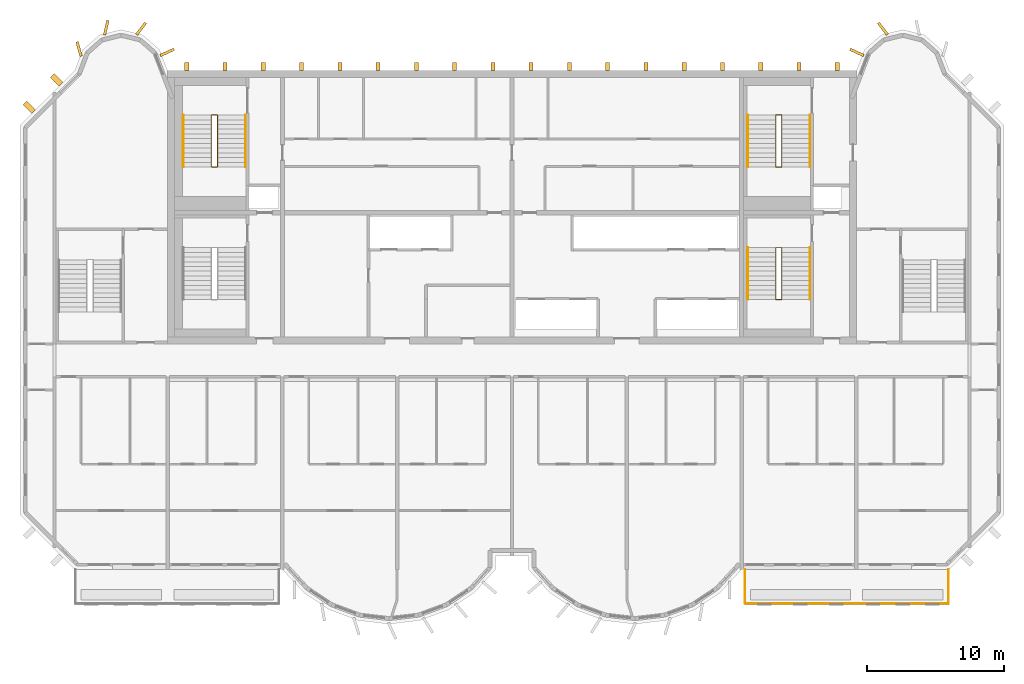
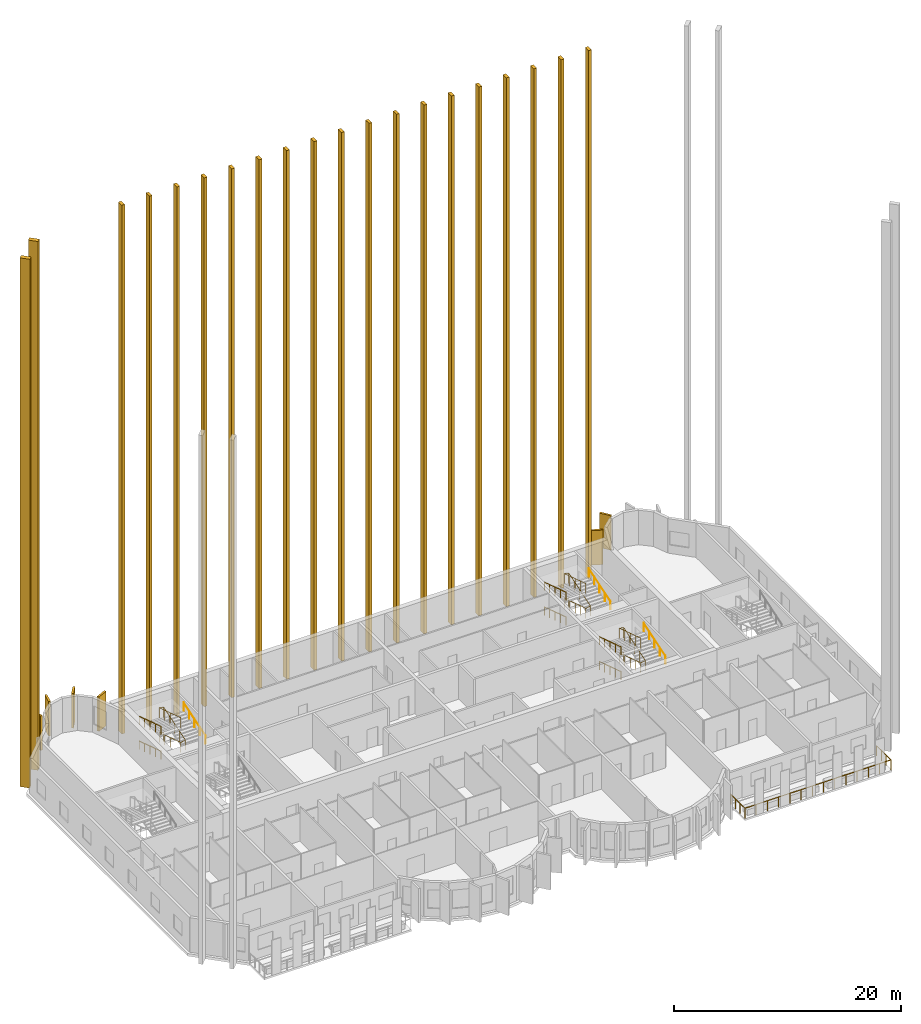
# One storey, part 11 of 13: 26 coverings, 13 railings.
"""IFC4 building model written with IfcOpenShell, lengths in metres."""

from ifc_helpers import new_model, si_unit, direction, frame, origin, origin_2d, place, context, subcontext, project, spatial, rectangle, circle, extrude, source, transform, mapped, material, material_profile, profile_set, type_object, element, save


model = new_model("IFC4")

# Units and contexts
model_context = context("Model", 3, precision=1e-05, world=origin(), true_north=direction((0.0, 1.0)))
body_context = subcontext(model_context, "Body", "Model", "MODEL_VIEW")
ifc_project = project(units=[si_unit("LENGTHUNIT", "METRE"), si_unit("AREAUNIT", "SQUARE_METRE"), si_unit("VOLUMEUNIT", "CUBIC_METRE"), si_unit("PLANEANGLEUNIT", "RADIAN"), si_unit("MASSUNIT", "GRAM", prefix="KILO")], contexts=[model_context])

# Site, building, storey
site_placement = place(None, origin())
site = spatial("IfcSite", under=ifc_project, at=site_placement, CompositionType="ELEMENT")
building_placement = place(site_placement, origin())
building = spatial("IfcBuilding", under=site, at=building_placement, Name="Vanashikhar Sky Hotel", CompositionType="ELEMENT")
storey_placement = place(building_placement, frame((0.0, 0.0, 277.699951171875)))
storey = spatial("IfcBuildingStorey", under=building, at=storey_placement, Name="L66", CompositionType="ELEMENT", Elevation=277.699951171875)

# Railing
ifc_material_1 = material(Name="Stainless steel 316", Category="steel")
railing_type_1 = type_object("IfcRailingType", Name="Balcony guard 1100", PredefinedType="GUARDRAIL", material=ifc_material_1)
shared_shape_1 = source(origin(), body_context, "Body", "SweptSolid", [
    extrude(circle(Radius=0.02392578125, at=origin_2d()), frame((0.0, 0.0, 1.076171875), z_axis=(0.0, -1.0, 0.0), x_axis=(1.0, 0.0, 0.0)), (0.0, 0.0, 1.0), 2.5),
    extrude(circle(Radius=0.02392578125, at=origin_2d()), frame((0.0, -2.5, 1.076171875), z_axis=(1.0, 0.0, 0.0), x_axis=(0.0, 1.0, 0.0)), (0.0, 0.0, 1.0), 14.880126953125),
    extrude(circle(Radius=0.02392578125, at=origin_2d()), frame((14.880126953125, -2.5, 1.076171875), z_axis=(0.0, 1.0, 0.0), x_axis=(-1.0, 0.0, 0.0)), (0.0, 0.0, 1.0), 2.5),
    extrude(circle(Radius=0.02099609375, at=origin_2d()), origin(), (0.0, 0.0, 1.0), 1.052001953125),
    extrude(circle(Radius=0.02099609375, at=origin_2d()), frame((0.0, -0.833251953125, 0.0)), (0.0, 0.0, 1.0), 1.052001953125),
    extrude(circle(Radius=0.02099609375, at=origin_2d()), frame((0.0, -1.666748046875, 0.0)), (0.0, 0.0, 1.0), 1.052001953125),
    extrude(circle(Radius=0.02099609375, at=origin_2d()), frame((0.0, -2.5, 0.0)), (0.0, 0.0, 1.0), 1.052001953125),
    extrude(circle(Radius=0.02099609375, at=origin_2d()), frame((1.14453125, -2.5, 0.0)), (0.0, 0.0, 1.0), 1.052001953125),
    extrude(circle(Radius=0.02099609375, at=origin_2d()), frame((2.289306640625, -2.5, 0.0)), (0.0, 0.0, 1.0), 1.052001953125),
    extrude(circle(Radius=0.02099609375, at=origin_2d()), frame((3.433837890625, -2.5, 0.0)), (0.0, 0.0, 1.0), 1.052001953125),
    extrude(circle(Radius=0.02099609375, at=origin_2d()), frame((4.57861328125, -2.5, 0.0)), (0.0, 0.0, 1.0), 1.052001953125),
    extrude(circle(Radius=0.02099609375, at=origin_2d()), frame((5.72314453125, -2.5, 0.0)), (0.0, 0.0, 1.0), 1.052001953125),
    extrude(circle(Radius=0.02099609375, at=origin_2d()), frame((6.86767578125, -2.5, 0.0)), (0.0, 0.0, 1.0), 1.052001953125),
    extrude(circle(Radius=0.02099609375, at=origin_2d()), frame((8.012451171875, -2.5, 0.0)), (0.0, 0.0, 1.0), 1.052001953125),
    extrude(circle(Radius=0.02099609375, at=origin_2d()), frame((9.156982421875, -2.5, 0.0)), (0.0, 0.0, 1.0), 1.052001953125),
    extrude(circle(Radius=0.02099609375, at=origin_2d()), frame((10.301513671875, -2.5, 0.0)), (0.0, 0.0, 1.0), 1.052001953125),
    extrude(circle(Radius=0.02099609375, at=origin_2d()), frame((11.4462890625, -2.5, 0.0)), (0.0, 0.0, 1.0), 1.052001953125),
    extrude(circle(Radius=0.02099609375, at=origin_2d()), frame((12.5908203125, -2.5, 0.0)), (0.0, 0.0, 1.0), 1.052001953125),
    extrude(circle(Radius=0.02099609375, at=origin_2d()), frame((13.735595703125, -2.5, 0.0)), (0.0, 0.0, 1.0), 1.052001953125),
    extrude(circle(Radius=0.02099609375, at=origin_2d()), frame((14.880126953125, -2.5, 0.0)), (0.0, 0.0, 1.0), 1.052001953125),
    extrude(circle(Radius=0.02099609375, at=origin_2d()), frame((14.880126953125, -1.666748046875, 0.0)), (0.0, 0.0, 1.0), 1.052001953125),
    extrude(circle(Radius=0.02099609375, at=origin_2d()), frame((14.880126953125, -0.833251953125, 0.0)), (0.0, 0.0, 1.0), 1.052001953125),
    extrude(circle(Radius=0.02099609375, at=origin_2d()), frame((14.880126953125, 0.0, 0.0)), (0.0, 0.0, 1.0), 1.052001953125),
])
railing_1_placement = place(storey_placement, frame((67.4599609375, 5.5, -0.050048828125)))
element("IfcRailing", 1, at=railing_1_placement, inside=storey, type_object=railing_type_1, Name="Balcony guard", PredefinedType="GUARDRAIL", context=body_context, shape_type="MappedRepresentation", body=[
    mapped(shared_shape_1, transform((0.0, 0.0, 0.0), scale=1.0)),
])

# Coverings
ifc_material_2 = material(Name="Concrete M60 dark", Category="concrete")
ifc_material_profile_1 = material_profile(ifc_material_2, rectangle(XDim=1.10009765625, YDim=0.199951171875, at=origin_2d()))
ifc_profile_set_1 = profile_set([ifc_material_profile_1], Name="Rear lobe fin 1100 x 200")
covering_type_1 = type_object("IfcCoveringType", Name="Rear lobe fin 1100 x 200", PredefinedType="CLADDING", material=ifc_profile_set_1)
shared_shape_2 = source(origin(), body_context, "Body", "SweptSolid", [
    extrude(rectangle(XDim=1.10009765625, YDim=0.199951171875, at=origin_2d()), origin(), (0.0, 0.0, 1.0), 3.719970703125),
])
for number, where, z_axis, x_axis, name in (
    (2, (18.720703125, 43.580078125, 0.0), (0.0, 0.0, 1.0), (-0.262711264409, 0.964874495234, 0.0), "Fin R1-1"),
    (3, (20.710205078125, 45.1455078125, 0.0), (0.0, 0.0, 1.0), (0.224644935864, 0.974440687159, 0.0), "Fin R1-2"),
    (4, (23.261962890625, 45.06640625, 0.0), (0.0, 0.0, 1.0), (0.602065892195, 0.798446404874, 0.0), "Fin R1-3"),
    (5, (25.169677734375, 43.33447265625, 0.0), (0.0, 0.0, 1.0), (0.908004291068, 0.418960866193, 0.0), "Fin R1-4"),
    (6, (75.63037109375, 43.33447265625, 0.0), (0.0, 0.0, 1.0), (-0.908004291068, 0.418960866193, 0.0), "Fin R2-1"),
    (7, (77.5380859375, 45.06640625, 0.0), (0.0, 0.0, 1.0), (-0.602065892195, 0.798446404874, 0.0), "Fin R2-2"),
):
    element("IfcCovering", number, at=place(storey_placement, frame(where, z_axis=z_axis, x_axis=x_axis)), inside=storey, type_object=covering_type_1, Name=name, PredefinedType="CLADDING", context=body_context, shape_type="MappedRepresentation", body=[
        mapped(shared_shape_2, transform((0.0, 0.0, 0.0), scale=1.0)),
    ])
ifc_material_profile_2 = material_profile(ifc_material_2, rectangle(XDim=0.60009765625, YDim=0.300048828125, at=origin_2d()))
ifc_profile_set_2 = profile_set([ifc_material_profile_2], Name="Rear rib 600 x 300")
covering_type_2 = type_object("IfcCoveringType", Name="Rear rib 600 x 300", PredefinedType="CLADDING", material=ifc_profile_set_2)
shared_shape_3 = source(origin(), body_context, "Body", "SweptSolid", [
    extrude(rectangle(XDim=0.60009765625, YDim=0.300048828125, at=origin_2d()), origin(), (0.0, 0.0, 1.0), 57.0),
])
for number, where, z_axis, x_axis, name in (
    (8, (26.60009765625, 42.300048828125, -0.280029296875), (0.0, 0.0, 1.0), (0.0, 1.0, 0.0), "Rear rib"),
    (9, (29.39990234375, 42.300048828125, -0.280029296875), (0.0, 0.0, 1.0), (0.0, 1.0, 0.0), "Rear rib"),
    (10, (32.199951171875, 42.300048828125, -0.280029296875), (0.0, 0.0, 1.0), (0.0, 1.0, 0.0), "Rear rib"),
    (11, (35.0, 42.300048828125, -0.280029296875), (0.0, 0.0, 1.0), (0.0, 1.0, 0.0), "Rear rib"),
    (12, (37.800048828125, 42.300048828125, -0.280029296875), (0.0, 0.0, 1.0), (0.0, 1.0, 0.0), "Rear rib"),
    (13, (40.60009765625, 42.300048828125, -0.280029296875), (0.0, 0.0, 1.0), (0.0, 1.0, 0.0), "Rear rib"),
    (14, (43.39990234375, 42.300048828125, -0.280029296875), (0.0, 0.0, 1.0), (0.0, 1.0, 0.0), "Rear rib"),
    (15, (46.199951171875, 42.300048828125, -0.280029296875), (0.0, 0.0, 1.0), (0.0, 1.0, 0.0), "Rear rib"),
    (16, (49.0, 42.300048828125, -0.280029296875), (0.0, 0.0, 1.0), (0.0, 1.0, 0.0), "Rear rib"),
    (17, (51.800048828125, 42.300048828125, -0.280029296875), (0.0, 0.0, 1.0), (0.0, 1.0, 0.0), "Rear rib"),
    (18, (54.60009765625, 42.300048828125, -0.280029296875), (0.0, 0.0, 1.0), (0.0, 1.0, 0.0), "Rear rib"),
    (19, (57.39990234375, 42.300048828125, -0.280029296875), (0.0, 0.0, 1.0), (0.0, 1.0, 0.0), "Rear rib"),
    (20, (60.199951171875, 42.300048828125, -0.280029296875), (0.0, 0.0, 1.0), (0.0, 1.0, 0.0), "Rear rib"),
    (21, (63.0, 42.300048828125, -0.280029296875), (0.0, 0.0, 1.0), (0.0, 1.0, 0.0), "Rear rib"),
    (22, (65.800048828125, 42.300048828125, -0.280029296875), (0.0, 0.0, 1.0), (0.0, 1.0, 0.0), "Rear rib"),
    (23, (68.60009765625, 42.300048828125, -0.280029296875), (0.0, 0.0, 1.0), (0.0, 1.0, 0.0), "Rear rib"),
    (24, (71.39990234375, 42.300048828125, -0.280029296875), (0.0, 0.0, 1.0), (0.0, 1.0, 0.0), "Rear rib"),
    (25, (74.199951171875, 42.300048828125, -0.280029296875), (0.0, 0.0, 1.0), (0.0, 1.0, 0.0), "Rear rib"),
):
    element("IfcCovering", number, at=place(storey_placement, frame(where, z_axis=z_axis, x_axis=x_axis)), inside=storey, type_object=covering_type_2, Name=name, PredefinedType="CLADDING", context=body_context, shape_type="MappedRepresentation", body=[
        mapped(shared_shape_3, transform((0.0, 0.0, 0.0), scale=1.0)),
    ])
ifc_material_profile_3 = material_profile(ifc_material_2, rectangle(XDim=0.89990234375, YDim=0.39990234375, at=origin_2d()))
ifc_profile_set_3 = profile_set([ifc_material_profile_3], Name="Chamfer fin 900 x 400")
covering_type_3 = type_object("IfcCoveringType", Name="Chamfer fin 900 x 400", PredefinedType="CLADDING", material=ifc_profile_set_3)
shared_shape_4 = source(origin(), body_context, "Body", "SweptSolid", [
    extrude(rectangle(XDim=0.89990234375, YDim=0.39990234375, at=origin_2d()), origin(), (0.0, 0.0, 1.0), 57.0),
])
for number, where, z_axis, x_axis, name in (
    (26, (17.081787109375, 41.318115234375, -0.280029296875), (0.0, 0.0, 1.0), (-0.707106781187, 0.707106781187, 0.0), "Chamfer fin"),
    (27, (15.081787109375, 39.318115234375, -0.280029296875), (0.0, 0.0, 1.0), (-0.707106781187, 0.707106781187, 0.0), "Chamfer fin"),
):
    element("IfcCovering", number, at=place(storey_placement, frame(where, z_axis=z_axis, x_axis=x_axis)), inside=storey, type_object=covering_type_3, Name=name, PredefinedType="CLADDING", context=body_context, shape_type="MappedRepresentation", body=[
        mapped(shared_shape_4, transform((0.0, 0.0, 0.0), scale=1.0)),
    ])

# Railings
ifc_material_3 = material(Name="Steel S355", Category="steel")
railing_type_2 = type_object("IfcRailingType", Name="Stair guard 1100", PredefinedType="GUARDRAIL", material=ifc_material_3)
shared_shape_5 = source(origin(), body_context, "Body", "SweptSolid", [
    extrude(circle(Radius=0.02392578125, at=origin_2d()), frame((0.0, 0.0, 1.076171875), z_axis=(-0.970881249867, 0.0, 0.239561262847), x_axis=(0.0, -1.0, 0.0)), (0.0, 0.0, 1.0), 0.463623046875),
    extrude(circle(Radius=0.02392578125, at=origin_2d()), frame((-0.4501953125, 0.0, 1.18701171875), z_axis=(0.0, -0.95195790124, 0.306228924607), x_axis=(1.0, 0.0, 0.0)), (0.0, 0.0, 1.0), 3.991943359375),
    extrude(circle(Radius=0.02392578125, at=origin_2d()), frame((-0.4501953125, -3.800048828125, 2.40966796875), z_axis=(0.970881249867, 0.0, 0.239561262847), x_axis=(0.0, 1.0, 0.0)), (0.0, 0.0, 1.0), 0.463623046875),
    extrude(circle(Radius=0.02392578125, at=origin_2d()), frame((0.0, -3.800048828125, 2.5205078125), z_axis=(0.0, 0.95197572919, 0.306173498254), x_axis=(-1.0, 0.0, 0.0)), (0.0, 0.0, 1.0), 3.99169921875),
    extrude(circle(Radius=0.02392578125, at=origin_2d()), frame((0.0, 0.0, 3.74267578125), z_axis=(-0.970881249867, 0.0, 0.239561262847), x_axis=(0.0, -1.0, 0.0)), (0.0, 0.0, 1.0), 0.463623046875),
    extrude(circle(Radius=0.02392578125, at=origin_2d()), frame((-0.4501953125, 0.0, 3.85400390625), z_axis=(0.0, -0.95197572919, 0.306173498254), x_axis=(1.0, 0.0, 0.0)), (0.0, 0.0, 1.0), 3.99169921875),
    extrude(circle(Radius=0.02099609375, at=origin_2d()), origin(), (0.0, 0.0, 1.0), 1.052001953125),
    extrude(circle(Radius=0.02099609375, at=origin_2d()), frame((-0.4501953125, 0.0, 0.111083984375)), (0.0, 0.0, 1.0), 1.052001953125),
    extrude(circle(Radius=0.02099609375, at=origin_2d()), frame((-0.4501953125, -0.949951171875, 0.416748046875)), (0.0, 0.0, 1.0), 1.052001953125),
    extrude(circle(Radius=0.02099609375, at=origin_2d()), frame((-0.4501953125, -1.89990234375, 0.72216796875)), (0.0, 0.0, 1.0), 1.052001953125),
    extrude(circle(Radius=0.02099609375, at=origin_2d()), frame((-0.4501953125, -2.85009765625, 1.02783203125)), (0.0, 0.0, 1.0), 1.052001953125),
    extrude(circle(Radius=0.02099609375, at=origin_2d()), frame((-0.4501953125, -3.800048828125, 1.33349609375)), (0.0, 0.0, 1.0), 1.052001953125),
    extrude(circle(Radius=0.02099609375, at=origin_2d()), frame((0.0, -3.800048828125, 1.444580078125)), (0.0, 0.0, 1.0), 1.052001953125),
    extrude(circle(Radius=0.02099609375, at=origin_2d()), frame((0.0, -2.85009765625, 1.75)), (0.0, 0.0, 1.0), 1.052001953125),
    extrude(circle(Radius=0.02099609375, at=origin_2d()), frame((0.0, -1.89990234375, 2.0556640625)), (0.0, 0.0, 1.0), 1.052001953125),
    extrude(circle(Radius=0.02099609375, at=origin_2d()), frame((0.0, -0.949951171875, 2.361328125)), (0.0, 0.0, 1.0), 1.052001953125),
    extrude(circle(Radius=0.02099609375, at=origin_2d()), frame((0.0, 0.0, 2.666748046875)), (0.0, 0.0, 1.0), 1.052001953125),
    extrude(circle(Radius=0.02099609375, at=origin_2d()), frame((-0.4501953125, 0.0, 2.77783203125)), (0.0, 0.0, 1.0), 1.052001953125),
    extrude(circle(Radius=0.02099609375, at=origin_2d()), frame((-0.4501953125, -0.949951171875, 3.08349609375)), (0.0, 0.0, 1.0), 1.052001953125),
    extrude(circle(Radius=0.02099609375, at=origin_2d()), frame((-0.4501953125, -1.89990234375, 3.388916015625)), (0.0, 0.0, 1.0), 1.052001953125),
    extrude(circle(Radius=0.02099609375, at=origin_2d()), frame((-0.4501953125, -2.85009765625, 3.6943359375)), (0.0, 0.0, 1.0), 1.052001953125),
    extrude(circle(Radius=0.02099609375, at=origin_2d()), frame((-0.4501953125, -3.800048828125, 4.0)), (0.0, 0.0, 1.0), 1.052001953125),
])
railing_2_placement = place(storey_placement, frame((28.85009765625, 38.75, 0.0)))
element("IfcRailing", 28, at=railing_2_placement, inside=storey, type_object=railing_type_2, Name="Exit stair 5 guard", PredefinedType="GUARDRAIL", context=body_context, shape_type="MappedRepresentation", body=[
    mapped(shared_shape_5, transform((0.0, 0.0, 0.0), scale=1.0)),
])
railing_type_3 = type_object("IfcRailingType", Name="Stair handrail 900", PredefinedType="HANDRAIL", material=ifc_material_3)
shared_shape_6 = source(origin(), body_context, "Body", "SweptSolid", [
    extrude(circle(Radius=0.02392578125, at=origin_2d()), frame((0.0, 0.0, 0.8759765625), z_axis=(0.0, -0.95195790124, 0.306228924607), x_axis=(1.0, 0.0, 0.0)), (0.0, 0.0, 1.0), 3.991943359375),
    extrude(circle(Radius=0.02099609375, at=origin_2d()), origin(), (0.0, 0.0, 1.0), 0.851806640625),
    extrude(circle(Radius=0.02099609375, at=origin_2d()), frame((0.0, -0.949951171875, 0.3056640625)), (0.0, 0.0, 1.0), 0.851806640625),
    extrude(circle(Radius=0.02099609375, at=origin_2d()), frame((0.0, -1.89990234375, 0.611328125)), (0.0, 0.0, 1.0), 0.851806640625),
    extrude(circle(Radius=0.02099609375, at=origin_2d()), frame((0.0, -2.85009765625, 0.916748046875)), (0.0, 0.0, 1.0), 0.851806640625),
    extrude(circle(Radius=0.02099609375, at=origin_2d()), frame((0.0, -3.800048828125, 1.222412109375)), (0.0, 0.0, 1.0), 0.851806640625),
])
for number, where, name in (
    (29, (67.64990234375, 29.050048828125, 0.111083984375), "Exit stair 2 handrail"),
    (30, (26.35009765625, 38.75, 0.111083984375), "Exit stair 5 handrail"),
    (31, (67.64990234375, 38.75, 0.111083984375), "Exit stair 6 handrail"),
):
    element("IfcRailing", number, at=place(storey_placement, frame(where)), inside=storey, type_object=railing_type_3, Name=name, PredefinedType="HANDRAIL", context=body_context, shape_type="MappedRepresentation", body=[
        mapped(shared_shape_6, transform((0.0, 0.0, 0.0), scale=1.0)),
    ])
shared_shape_7 = source(origin(), body_context, "Body", "SweptSolid", [
    extrude(circle(Radius=0.02392578125, at=origin_2d()), frame((0.0, 0.0, 0.8759765625), z_axis=(0.0, 0.95197572919, 0.306173498254), x_axis=(-1.0, 0.0, 0.0)), (0.0, 0.0, 1.0), 3.99169921875),
    extrude(circle(Radius=0.02099609375, at=origin_2d()), origin(), (0.0, 0.0, 1.0), 0.851806640625),
    extrude(circle(Radius=0.02099609375, at=origin_2d()), frame((0.0, 0.949951171875, 0.3056640625)), (0.0, 0.0, 1.0), 0.851806640625),
    extrude(circle(Radius=0.02099609375, at=origin_2d()), frame((0.0, 1.89990234375, 0.611083984375)), (0.0, 0.0, 1.0), 0.851806640625),
    extrude(circle(Radius=0.02099609375, at=origin_2d()), frame((0.0, 2.85009765625, 0.91650390625)), (0.0, 0.0, 1.0), 0.851806640625),
    extrude(circle(Radius=0.02099609375, at=origin_2d()), frame((0.0, 3.800048828125, 1.22216796875)), (0.0, 0.0, 1.0), 0.851806640625),
])
for number, where, name in (
    (32, (72.199951171875, 25.25, 1.444580078125), "Exit stair 2 handrail"),
    (33, (30.89990234375, 34.949951171875, 1.444580078125), "Exit stair 5 handrail"),
    (34, (72.199951171875, 34.949951171875, 1.444580078125), "Exit stair 6 handrail"),
):
    element("IfcRailing", number, at=place(storey_placement, frame(where)), inside=storey, type_object=railing_type_3, Name=name, PredefinedType="HANDRAIL", context=body_context, shape_type="MappedRepresentation", body=[
        mapped(shared_shape_7, transform((0.0, 0.0, 0.0), scale=1.0)),
    ])
shared_shape_8 = source(origin(), body_context, "Body", "SweptSolid", [
    extrude(circle(Radius=0.02392578125, at=origin_2d()), frame((0.0, 0.0, 0.8759765625), z_axis=(0.0, -0.95197572919, 0.306173498254), x_axis=(1.0, 0.0, 0.0)), (0.0, 0.0, 1.0), 3.99169921875),
    extrude(circle(Radius=0.02099609375, at=origin_2d()), origin(), (0.0, 0.0, 1.0), 0.851806640625),
    extrude(circle(Radius=0.02099609375, at=origin_2d()), frame((0.0, -0.949951171875, 0.3056640625)), (0.0, 0.0, 1.0), 0.851806640625),
    extrude(circle(Radius=0.02099609375, at=origin_2d()), frame((0.0, -1.89990234375, 0.611083984375)), (0.0, 0.0, 1.0), 0.851806640625),
    extrude(circle(Radius=0.02099609375, at=origin_2d()), frame((0.0, -2.85009765625, 0.91650390625)), (0.0, 0.0, 1.0), 0.851806640625),
    extrude(circle(Radius=0.02099609375, at=origin_2d()), frame((0.0, -3.800048828125, 1.22216796875)), (0.0, 0.0, 1.0), 0.851806640625),
])
for number, where, name in (
    (35, (67.64990234375, 29.050048828125, 2.77783203125), "Exit stair 2 handrail"),
    (36, (26.35009765625, 38.75, 2.77783203125), "Exit stair 5 handrail"),
    (37, (67.64990234375, 38.75, 2.77783203125), "Exit stair 6 handrail"),
):
    element("IfcRailing", number, at=place(storey_placement, frame(where)), inside=storey, type_object=railing_type_3, Name=name, PredefinedType="HANDRAIL", context=body_context, shape_type="MappedRepresentation", body=[
        mapped(shared_shape_8, transform((0.0, 0.0, 0.0), scale=1.0)),
    ])
shared_shape_9 = source(origin(), body_context, "Body", "SweptSolid", [
    extrude(circle(Radius=0.02392578125, at=origin_2d()), frame((0.0, 0.0, 1.076171875), z_axis=(-0.970851010584, 0.0, 0.239683781777), x_axis=(0.0, -1.0, 0.0)), (0.0, 0.0, 1.0), 0.46337890625),
    extrude(circle(Radius=0.02392578125, at=origin_2d()), frame((-0.449951171875, 0.0, 1.18701171875), z_axis=(0.0, -0.95195790124, 0.306228924607), x_axis=(1.0, 0.0, 0.0)), (0.0, 0.0, 1.0), 3.991943359375),
    extrude(circle(Radius=0.02392578125, at=origin_2d()), frame((-0.449951171875, -3.800048828125, 2.40966796875), z_axis=(0.970851010584, 0.0, 0.239683781777), x_axis=(0.0, 1.0, 0.0)), (0.0, 0.0, 1.0), 0.46337890625),
    extrude(circle(Radius=0.02392578125, at=origin_2d()), frame((0.0, -3.800048828125, 2.5205078125), z_axis=(0.0, 0.95197572919, 0.306173498254), x_axis=(-1.0, 0.0, 0.0)), (0.0, 0.0, 1.0), 3.99169921875),
    extrude(circle(Radius=0.02392578125, at=origin_2d()), frame((0.0, 0.0, 3.74267578125), z_axis=(-0.970851010584, 0.0, 0.239683781777), x_axis=(0.0, -1.0, 0.0)), (0.0, 0.0, 1.0), 0.46337890625),
    extrude(circle(Radius=0.02392578125, at=origin_2d()), frame((-0.449951171875, 0.0, 3.85400390625), z_axis=(0.0, -0.95197572919, 0.306173498254), x_axis=(1.0, 0.0, 0.0)), (0.0, 0.0, 1.0), 3.99169921875),
    extrude(circle(Radius=0.02099609375, at=origin_2d()), origin(), (0.0, 0.0, 1.0), 1.052001953125),
    extrude(circle(Radius=0.02099609375, at=origin_2d()), frame((-0.449951171875, 0.0, 0.111083984375)), (0.0, 0.0, 1.0), 1.052001953125),
    extrude(circle(Radius=0.02099609375, at=origin_2d()), frame((-0.449951171875, -0.949951171875, 0.416748046875)), (0.0, 0.0, 1.0), 1.052001953125),
    extrude(circle(Radius=0.02099609375, at=origin_2d()), frame((-0.449951171875, -1.89990234375, 0.72216796875)), (0.0, 0.0, 1.0), 1.052001953125),
    extrude(circle(Radius=0.02099609375, at=origin_2d()), frame((-0.449951171875, -2.85009765625, 1.02783203125)), (0.0, 0.0, 1.0), 1.052001953125),
    extrude(circle(Radius=0.02099609375, at=origin_2d()), frame((-0.449951171875, -3.800048828125, 1.33349609375)), (0.0, 0.0, 1.0), 1.052001953125),
    extrude(circle(Radius=0.02099609375, at=origin_2d()), frame((0.0, -3.800048828125, 1.444580078125)), (0.0, 0.0, 1.0), 1.052001953125),
    extrude(circle(Radius=0.02099609375, at=origin_2d()), frame((0.0, -2.85009765625, 1.75)), (0.0, 0.0, 1.0), 1.052001953125),
    extrude(circle(Radius=0.02099609375, at=origin_2d()), frame((0.0, -1.89990234375, 2.0556640625)), (0.0, 0.0, 1.0), 1.052001953125),
    extrude(circle(Radius=0.02099609375, at=origin_2d()), frame((0.0, -0.949951171875, 2.361328125)), (0.0, 0.0, 1.0), 1.052001953125),
    extrude(circle(Radius=0.02099609375, at=origin_2d()), frame((0.0, 0.0, 2.666748046875)), (0.0, 0.0, 1.0), 1.052001953125),
    extrude(circle(Radius=0.02099609375, at=origin_2d()), frame((-0.449951171875, 0.0, 2.77783203125)), (0.0, 0.0, 1.0), 1.052001953125),
    extrude(circle(Radius=0.02099609375, at=origin_2d()), frame((-0.449951171875, -0.949951171875, 3.08349609375)), (0.0, 0.0, 1.0), 1.052001953125),
    extrude(circle(Radius=0.02099609375, at=origin_2d()), frame((-0.449951171875, -1.89990234375, 3.388916015625)), (0.0, 0.0, 1.0), 1.052001953125),
    extrude(circle(Radius=0.02099609375, at=origin_2d()), frame((-0.449951171875, -2.85009765625, 3.6943359375)), (0.0, 0.0, 1.0), 1.052001953125),
    extrude(circle(Radius=0.02099609375, at=origin_2d()), frame((-0.449951171875, -3.800048828125, 4.0)), (0.0, 0.0, 1.0), 1.052001953125),
])
for number, where, name in (
    (38, (70.14990234375, 29.050048828125, 0.0), "Exit stair 2 guard"),
    (39, (70.14990234375, 38.75, 0.0), "Exit stair 6 guard"),
):
    element("IfcRailing", number, at=place(storey_placement, frame(where)), inside=storey, type_object=railing_type_2, Name=name, PredefinedType="GUARDRAIL", context=body_context, shape_type="MappedRepresentation", body=[
        mapped(shared_shape_9, transform((0.0, 0.0, 0.0), scale=1.0)),
    ])

save(model, "model.ifc")
